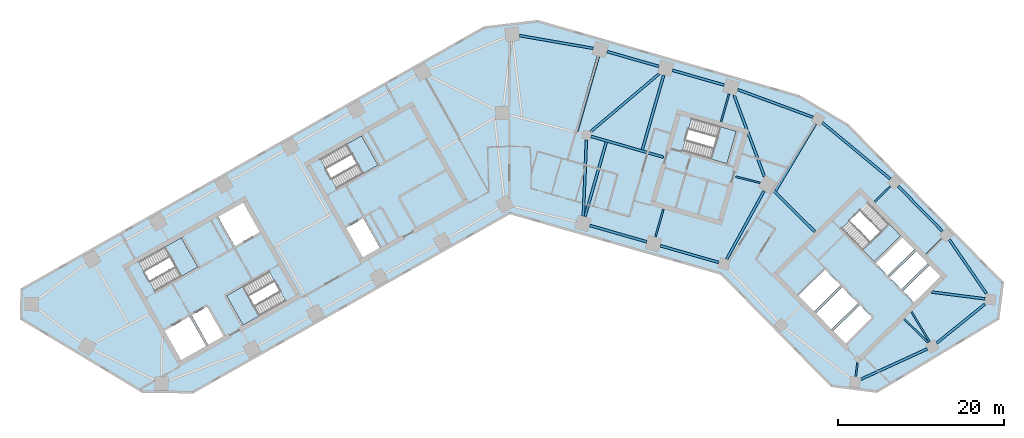
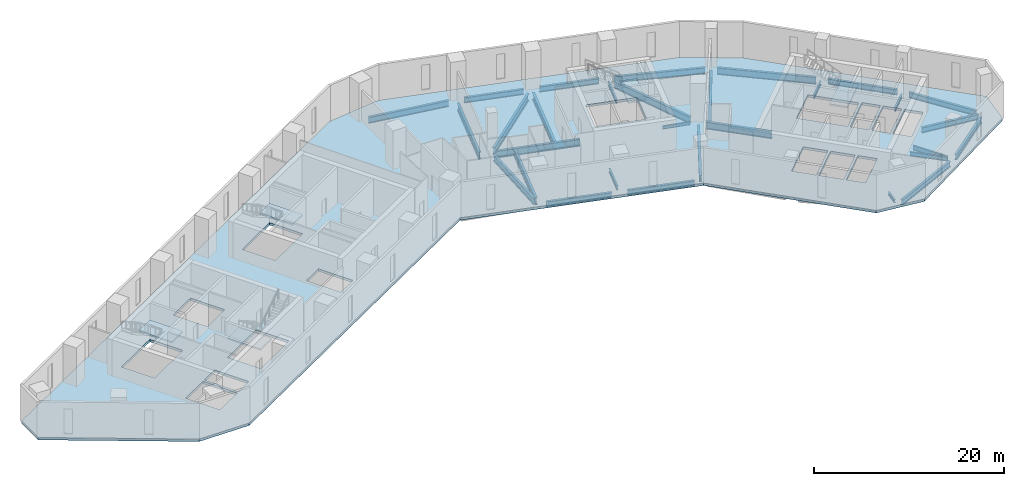
# One storey, part 2 of 10: 30 beams, 6 slabs, 5 elements without a shape of their own.
"""IFC4 building model written with IfcOpenShell, lengths in metres."""

from ifc_helpers import new_model, si_unit, direction, frame, origin, origin_2d, place, context, subcontext, project, spatial, polyline, i_section, outline, extrude, material, layer, layer_set, material_profile, profile_set, type_object, element, aggregate, save


model = new_model("IFC4")

# Units and contexts
model_context = context("Model", 3, precision=1e-05, world=origin(), true_north=direction((0.0, 1.0)))
body_context = subcontext(model_context, "Body", "Model", "MODEL_VIEW")
ifc_project = project(units=[si_unit("LENGTHUNIT", "METRE"), si_unit("AREAUNIT", "SQUARE_METRE"), si_unit("VOLUMEUNIT", "CUBIC_METRE"), si_unit("PLANEANGLEUNIT", "RADIAN"), si_unit("MASSUNIT", "GRAM", prefix="KILO")], contexts=[model_context])

# Site, building, storey
site_placement = place(None, origin())
site = spatial("IfcSite", under=ifc_project, at=site_placement, CompositionType="ELEMENT")
building_placement = place(site_placement, origin())
building = spatial("IfcBuilding", under=site, at=building_placement, Name="Binnacle Exchange Tower", CompositionType="ELEMENT")
storey_placement = place(building_placement, frame((0.0, 0.0, 41.5)))
storey = spatial("IfcBuildingStorey", under=building, at=storey_placement, Name="L08", CompositionType="ELEMENT", Elevation=41.5)

# Beams
ifc_material_1 = material(Name="Steel S355 (SHN355)", Category="steel")
ifc_material_profile_1 = material_profile(ifc_material_1, i_section(OverallWidth=0.300048828125, OverallDepth=0.699951171875, WebThickness=0.012939453125, FlangeThickness=0.02392578125, FilletRadius=0.028076171875, at=origin_2d()), Name="H 700x300x13x24")
ifc_profile_set_1 = profile_set([ifc_material_profile_1], Name="Steel S355 (SHN355)")
beam_type_1 = type_object("IfcBeamType", Name="Edge girder H 700x300x13x24 Steel S355 (SHN355)", PredefinedType="SPANDREL", material=ifc_profile_set_1)
beam_1_placement = place(storey_placement, frame((9.626708984375, 46.488037109375, -0.669921875), z_axis=(0.961260850036, -0.275640305812, 0.0), x_axis=(0.275640305812, 0.961260850036, 0.0)))
element("IfcBeam", 1, at=beam_1_placement, inside=storey, type_object=beam_type_1, Name="S:BM:edge:L08:030", PredefinedType="SPANDREL", context=body_context, shape_type="SweptSolid", body=[
    extrude(i_section(OverallWidth=0.300048828125, OverallDepth=0.699951171875, WebThickness=0.012939453125, FlangeThickness=0.02392578125, FilletRadius=0.028076171875, at=origin_2d()), origin(), (0.0, 0.0, 1.0), 7.120361328125),
])
beam_2_placement = place(storey_placement, frame((17.92919921875, 65.610595703125, -0.669921875), z_axis=(-0.961261624999, 0.275637603213, 0.0), x_axis=(-0.275637603213, -0.961261624999, 0.0)))
element("IfcBeam", 2, at=beam_2_placement, inside=storey, type_object=beam_type_1, Name="S:BM:edge:L08:032", PredefinedType="SPANDREL", context=body_context, shape_type="SweptSolid", body=[
    extrude(i_section(OverallWidth=0.300048828125, OverallDepth=0.699951171875, WebThickness=0.012939453125, FlangeThickness=0.02392578125, FilletRadius=0.028076171875, at=origin_2d()), origin(), (0.0, 0.0, 1.0), 6.472900390625),
])
beam_3_placement = place(storey_placement, frame((18.105224609375, 44.056884765625, -0.669921875), z_axis=(0.96126047873, -0.275641600691, 0.0), x_axis=(0.275641600691, 0.96126047873, 0.0)))
element("IfcBeam", 3, at=beam_3_placement, inside=storey, type_object=beam_type_1, Name="S:BM:edge:L08:033", PredefinedType="SPANDREL", context=body_context, shape_type="SweptSolid", body=[
    extrude(i_section(OverallWidth=0.300048828125, OverallDepth=0.699951171875, WebThickness=0.012939453125, FlangeThickness=0.02392578125, FilletRadius=0.028076171875, at=origin_2d()), origin(), (0.0, 0.0, 1.0), 7.320556640625),
])
beam_4_placement = place(storey_placement, frame((25.78564453125, 63.35791015625, -0.669921875), z_axis=(-0.961271618025, 0.275602751036, 0.0), x_axis=(-0.275602751036, -0.961271618025, 0.0)))
element("IfcBeam", 4, at=beam_4_placement, inside=storey, type_object=beam_type_1, Name="S:BM:edge:L08:034", PredefinedType="SPANDREL", context=body_context, shape_type="SweptSolid", body=[
    extrude(i_section(OverallWidth=0.300048828125, OverallDepth=0.699951171875, WebThickness=0.012939453125, FlangeThickness=0.02392578125, FilletRadius=0.028076171875, at=origin_2d()), origin(), (0.0, 0.0, 1.0), 6.472900390625),
])
beam_5_placement = place(storey_placement, frame((51.322265625, 32.343505859375, -0.669921875), z_axis=(0.777568489665, 0.628798253719, 0.0), x_axis=(-0.628798253719, 0.777568489665, 0.0)))
element("IfcBeam", 5, at=beam_5_placement, inside=storey, type_object=beam_type_1, Name="S:BM:edge:L08:040", PredefinedType="SPANDREL", context=body_context, shape_type="SweptSolid", body=[
    extrude(i_section(OverallWidth=0.300048828125, OverallDepth=0.699951171875, WebThickness=0.012939453125, FlangeThickness=0.02392578125, FilletRadius=0.028076171875, at=origin_2d()), origin(), (0.0, 0.0, 1.0), 7.428955078125),
])
beam_6_placement = place(storey_placement, frame((52.010986328125, 45.802978515625, -0.669921875), z_axis=(-0.700905226564, 0.713254417004, 0.0), x_axis=(-0.713254417004, -0.700905226564, 0.0)))
element("IfcBeam", 6, at=beam_6_placement, inside=storey, type_object=beam_type_1, Name="S:BM:edge:L08:041", PredefinedType="SPANDREL", context=body_context, shape_type="SweptSolid", body=[
    extrude(i_section(OverallWidth=0.300048828125, OverallDepth=0.699951171875, WebThickness=0.012939453125, FlangeThickness=0.02392578125, FilletRadius=0.028076171875, at=origin_2d()), origin(), (0.0, 0.0, 1.0), 7.57177734375),
])
beam_7_placement = place(storey_placement, frame((57.305419921875, 38.299072265625, -0.669921875), z_axis=(-0.566409202341, 0.82412415054, 0.0), x_axis=(-0.82412415054, -0.566409202341, 0.0)))
element("IfcBeam", 7, at=beam_7_placement, inside=storey, type_object=beam_type_1, Name="S:BM:edge:L08:042", PredefinedType="SPANDREL", context=body_context, shape_type="SweptSolid", body=[
    extrude(i_section(OverallWidth=0.300048828125, OverallDepth=0.699951171875, WebThickness=0.012939453125, FlangeThickness=0.02392578125, FilletRadius=0.028076171875, at=origin_2d()), origin(), (0.0, 0.0, 1.0), 7.8828125),
])
ifc_material_profile_2 = material_profile(ifc_material_1, i_section(OverallWidth=0.302001953125, OverallDepth=0.7080078125, WebThickness=0.014892578125, FlangeThickness=0.028076171875, FilletRadius=0.028076171875, at=origin_2d()), Name="H 708x302x15x28")
ifc_profile_set_2 = profile_set([ifc_material_profile_2], Name="Steel S355 (SHN355)")
beam_type_2 = type_object("IfcBeamType", Name="Edge girder H 708x302x15x28 Steel S355 (SHN355)", PredefinedType="SPANDREL", material=ifc_profile_set_2)
beam_8_placement = place(storey_placement, frame((42.215576171875, 27.99365234375, -0.674072265625), z_axis=(0.909179052108, 0.416405392866, 0.0), x_axis=(-0.416405392866, 0.909179052108, 0.0)))
element("IfcBeam", 8, at=beam_8_placement, inside=storey, type_object=beam_type_2, Name="S:BM:edge:L08:038", PredefinedType="SPANDREL", context=body_context, shape_type="SweptSolid", body=[
    extrude(i_section(OverallWidth=0.302001953125, OverallDepth=0.7080078125, WebThickness=0.014892578125, FlangeThickness=0.028076171875, FilletRadius=0.028076171875, at=origin_2d()), origin(), (0.0, 0.0, 1.0), 8.801025390625),
])
ifc_material_profile_3 = material_profile(ifc_material_1, i_section(OverallWidth=0.300048828125, OverallDepth=0.800048828125, WebThickness=0.013916015625, FlangeThickness=0.02587890625, FilletRadius=0.028076171875, at=origin_2d()), Name="H 800x300x14x26")
ifc_profile_set_3 = profile_set([ifc_material_profile_3], Name="Steel S355 (SHN355)")
beam_type_3 = type_object("IfcBeamType", Name="Edge girder H 800x300x14x26 Steel S355 (SHN355)", PredefinedType="SPANDREL", material=ifc_profile_set_3)
beam_9_placement = place(storey_placement, frame((10.047607421875, 67.77490234375, -0.719970703125), z_axis=(-0.985312460293, 0.17076110679, 0.0), x_axis=(-0.17076110679, -0.985312460293, 0.0)))
element("IfcBeam", 9, at=beam_9_placement, inside=storey, type_object=beam_type_3, Name="S:BM:edge:L08:031", PredefinedType="SPANDREL", context=body_context, shape_type="SweptSolid", body=[
    extrude(i_section(OverallWidth=0.300048828125, OverallDepth=0.800048828125, WebThickness=0.013916015625, FlangeThickness=0.02587890625, FilletRadius=0.028076171875, at=origin_2d()), origin(), (0.0, 0.0, 1.0), 9.005859375),
])
ifc_material_profile_4 = material_profile(ifc_material_1, i_section(OverallWidth=0.302001953125, OverallDepth=0.80810546875, WebThickness=0.01611328125, FlangeThickness=0.030029296875, FilletRadius=0.028076171875, at=origin_2d()), Name="H 808x302x16x30")
ifc_profile_set_4 = profile_set([ifc_material_profile_4], Name="Steel S355 (SHN355)")
beam_type_4 = type_object("IfcBeamType", Name="Edge girder H 808x302x16x30 Steel S355 (SHN355)", PredefinedType="SPANDREL", material=ifc_profile_set_4)
beam_10_placement = place(storey_placement, frame((36.464599609375, 59.490966796875, -0.72412109375), z_axis=(-0.938368148393, 0.345637408395, 0.0), x_axis=(-0.345637408395, -0.938368148393, 0.0)))
element("IfcBeam", 10, at=beam_10_placement, inside=storey, type_object=beam_type_4, Name="S:BM:edge:L08:037", PredefinedType="SPANDREL", context=body_context, shape_type="SweptSolid", body=[
    extrude(i_section(OverallWidth=0.302001953125, OverallDepth=0.80810546875, WebThickness=0.01611328125, FlangeThickness=0.030029296875, FilletRadius=0.028076171875, at=origin_2d()), origin(), (0.0, 0.0, 1.0), 9.6572265625),
])
ifc_material_profile_5 = material_profile(ifc_material_1, i_section(OverallWidth=0.300048828125, OverallDepth=0.89990234375, WebThickness=0.01611328125, FlangeThickness=0.028076171875, FilletRadius=0.028076171875, at=origin_2d()), Name="H 900x300x16x28")
ifc_profile_set_5 = profile_set([ifc_material_profile_5], Name="Steel S355 (SHN355)")
beam_type_5 = type_object("IfcBeamType", Name="Edge girder H 900x300x16x28 Steel S355 (SHN355)", PredefinedType="SPANDREL", material=ifc_profile_set_5)
beam_11_placement = place(storey_placement, frame((45.7451171875, 52.084228515625, -0.77001953125), z_axis=(-0.769906025895, 0.638157277864, 0.0), x_axis=(-0.638157277864, -0.769906025895, 0.0)))
element("IfcBeam", 11, at=beam_11_placement, inside=storey, type_object=beam_type_5, Name="S:BM:edge:L08:039", PredefinedType="SPANDREL", context=body_context, shape_type="SweptSolid", body=[
    extrude(i_section(OverallWidth=0.300048828125, OverallDepth=0.89990234375, WebThickness=0.01611328125, FlangeThickness=0.028076171875, FilletRadius=0.028076171875, at=origin_2d()), origin(), (0.0, 0.0, 1.0), 10.59033203125),
])
ifc_material_profile_6 = material_profile(ifc_material_1, i_section(OverallWidth=0.199951171875, OverallDepth=0.39990234375, WebThickness=0.008056640625, FlangeThickness=0.012939453125, FilletRadius=0.01611328125, at=origin_2d()), Name="H 400x200x8x13")
ifc_profile_set_6 = profile_set([ifc_material_profile_6], Name="Steel S355 (SHN355)")
beam_type_6 = type_object("IfcBeamType", Name="Floor beam H 400x200x8x13 Steel S355 (SHN355)", PredefinedType="BEAM", material=ifc_profile_set_6)
beam_12_placement = place(storey_placement, frame((41.601806640625, 28.319580078125, -0.52001953125), z_axis=(0.126197116971, 0.992005185303, 0.0), x_axis=(-0.992005185303, 0.126197116971, 0.0)))
element("IfcBeam", 12, at=beam_12_placement, inside=storey, type_object=beam_type_6, Name="S:BM:cross:L08:063", PredefinedType="BEAM", context=body_context, shape_type="SweptSolid", body=[
    extrude(i_section(OverallWidth=0.199951171875, OverallDepth=0.39990234375, WebThickness=0.008056640625, FlangeThickness=0.012939453125, FilletRadius=0.01611328125, at=origin_2d()), origin(), (0.0, 0.0, 1.0), 1.68115234375),
])
ifc_material_profile_7 = material_profile(ifc_material_1, i_section(OverallWidth=0.199951171875, OverallDepth=0.449951171875, WebThickness=0.009033203125, FlangeThickness=0.013916015625, FilletRadius=0.01806640625, at=origin_2d()), Name="H 450x200x9x14")
ifc_profile_set_7 = profile_set([ifc_material_profile_7], Name="Steel S355 (SHN355)")
beam_type_7 = type_object("IfcBeamType", Name="Floor beam H 450x200x9x14 Steel S355 (SHN355)", PredefinedType="BEAM", material=ifc_profile_set_7)
for number, where, z_axis, x_axis, name in (
    (13, (45.78466796875, 51.211669921875, -0.544921875), (-0.713299272232, -0.700859578113, 0.0), (0.700859578113, -0.713299272232, 0.0), "S:BM:cross:L08:064"),
    (14, (52.003173828125, 44.8837890625, -0.544921875), (-0.713254209224, -0.700905438004, 0.0), (0.700905438004, -0.713254209224, 0.0), "S:BM:cross:L08:066"),
):
    element("IfcBeam", number, at=place(storey_placement, frame(where, z_axis=z_axis, x_axis=x_axis)), inside=storey, type_object=beam_type_7, Name=name, PredefinedType="BEAM", context=body_context, shape_type="SweptSolid", body=[
        extrude(i_section(OverallWidth=0.199951171875, OverallDepth=0.449951171875, WebThickness=0.009033203125, FlangeThickness=0.013916015625, FilletRadius=0.01806640625, at=origin_2d()), origin(), (0.0, 0.0, 1.0), 2.70849609375),
    ])
ifc_material_profile_8 = material_profile(ifc_material_1, i_section(OverallWidth=0.200927734375, OverallDepth=0.506103515625, WebThickness=0.010986328125, FlangeThickness=0.01904296875, FilletRadius=0.02001953125, at=origin_2d()), Name="H 506x201x11x19")
ifc_profile_set_8 = profile_set([ifc_material_profile_8], Name="Steel S355 (SHN355)")
beam_type_8 = type_object("IfcBeamType", Name="Floor beam H 506x201x11x19 Steel S355 (SHN355)", PredefinedType="BEAM", material=ifc_profile_set_8)
for number, where, z_axis, x_axis, name in (
    (15, (17.5224609375, 45.108154296875, -0.572998046875), (0.275655468279, 0.961256502089, 0.0), (-0.961256502089, 0.275655468279, 0.0), "S:BM:cross:L08:058"),
    (16, (26.368408203125, 62.306396484375, -0.572998046875), (-0.275655468279, -0.961256502089, 0.0), (0.961256502089, -0.275655468279, 0.0), "S:BM:cross:L08:060"),
):
    element("IfcBeam", number, at=place(storey_placement, frame(where, z_axis=z_axis, x_axis=x_axis)), inside=storey, type_object=beam_type_8, Name=name, PredefinedType="BEAM", context=body_context, shape_type="SweptSolid", body=[
        extrude(i_section(OverallWidth=0.200927734375, OverallDepth=0.506103515625, WebThickness=0.010986328125, FlangeThickness=0.01904296875, FilletRadius=0.02001953125, at=origin_2d()), origin(), (0.0, 0.0, 1.0), 3.485107421875),
    ])
ifc_material_profile_9 = material_profile(ifc_material_1, i_section(OverallWidth=0.199951171875, OverallDepth=0.60009765625, WebThickness=0.010986328125, FlangeThickness=0.01708984375, FilletRadius=0.02197265625, at=origin_2d()), Name="H 600x200x11x17")
ifc_profile_set_9 = profile_set([ifc_material_profile_9], Name="Steel S355 (SHN355)")
beam_type_9 = type_object("IfcBeamType", Name="Floor beam H 600x200x11x17 Steel S355 (SHN355)", PredefinedType="BEAM", material=ifc_profile_set_9)
beam_13_placement = place(storey_placement, frame((50.477294921875, 32.488037109375, -0.6201171875), z_axis=(-0.515057466438, 0.857155648798, 0.0), x_axis=(-0.857155648798, -0.515057466438, 0.0)))
element("IfcBeam", 17, at=beam_13_placement, inside=storey, type_object=beam_type_9, Name="S:BM:cross:L08:065", PredefinedType="BEAM", context=body_context, shape_type="SweptSolid", body=[
    extrude(i_section(OverallWidth=0.199951171875, OverallDepth=0.60009765625, WebThickness=0.010986328125, FlangeThickness=0.01708984375, FilletRadius=0.02197265625, at=origin_2d()), origin(), (0.0, 0.0, 1.0), 4.2177734375),
])
ifc_material_profile_10 = material_profile(ifc_material_1, i_section(OverallWidth=0.300048828125, OverallDepth=0.699951171875, WebThickness=0.012939453125, FlangeThickness=0.02392578125, FilletRadius=0.028076171875, at=origin_2d()), Name="H 700x300x13x24")
ifc_profile_set_10 = profile_set([ifc_material_profile_10], Name="Steel S355 (SHN355)")
beam_type_10 = type_object("IfcBeamType", Name="Floor beam H 700x300x13x24 Steel S355 (SHN355)", PredefinedType="BEAM", material=ifc_profile_set_10)
beam_14_placement = place(storey_placement, frame((57.154296875, 37.6630859375, -0.669921875), z_axis=(-0.992006658356, 0.126185537116, 0.0), x_axis=(-0.126185537116, -0.992006658356, 0.0)))
element("IfcBeam", 18, at=beam_14_placement, inside=storey, type_object=beam_type_10, Name="S:BM:cross:L08:067", PredefinedType="BEAM", context=body_context, shape_type="SweptSolid", body=[
    extrude(i_section(OverallWidth=0.300048828125, OverallDepth=0.699951171875, WebThickness=0.012939453125, FlangeThickness=0.02392578125, FilletRadius=0.028076171875, at=origin_2d()), origin(), (0.0, 0.0, 1.0), 6.4814453125),
])
ifc_material_profile_11 = material_profile(ifc_material_1, i_section(OverallWidth=0.302978515625, OverallDepth=0.91796875, WebThickness=0.01904296875, FlangeThickness=0.037109375, FilletRadius=0.028076171875, at=origin_2d()), Name="H 918x303x19x37")
ifc_profile_set_11 = profile_set([ifc_material_profile_11], Name="Steel S355 (SHN355)")
beam_type_11 = type_object("IfcBeamType", Name="Floor beam H 918x303x19x37 Steel S355 (SHN355)", PredefinedType="BEAM", material=ifc_profile_set_11)
beam_15_placement = place(storey_placement, frame((9.043701171875, 47.539306640625, -0.779052734375), z_axis=(0.275646698205, 0.961259017003, 0.0), x_axis=(-0.961259017003, 0.275646698205, 0.0)))
element("IfcBeam", 19, at=beam_15_placement, inside=storey, type_object=beam_type_11, Name="S:BM:cross:L08:056", PredefinedType="BEAM", context=body_context, shape_type="SweptSolid", body=[
    extrude(i_section(OverallWidth=0.302978515625, OverallDepth=0.91796875, WebThickness=0.01904296875, FlangeThickness=0.037109375, FilletRadius=0.028076171875, at=origin_2d()), origin(), (0.0, 0.0, 1.0), 9.335205078125),
])
beam_16_placement = place(storey_placement, frame((10.65576171875, 66.81201171875, -0.779052734375), z_axis=(-0.275626703457, -0.961264750389, 0.0), x_axis=(0.961264750389, -0.275626703457, 0.0)))
element("IfcBeam", 20, at=beam_16_placement, inside=storey, type_object=beam_type_11, Name="S:BM:cross:L08:057", PredefinedType="BEAM", context=body_context, shape_type="SweptSolid", body=[
    extrude(i_section(OverallWidth=0.302978515625, OverallDepth=0.91796875, WebThickness=0.01904296875, FlangeThickness=0.037109375, FilletRadius=0.028076171875, at=origin_2d()), origin(), (0.0, 0.0, 1.0), 9.363525390625),
])
beam_17_placement = place(storey_placement, frame((18.511962890625, 64.55908203125, -0.779052734375), z_axis=(-0.275629461812, -0.961263959473, 0.0), x_axis=(0.961263959473, -0.275629461812, 0.0)))
element("IfcBeam", 21, at=beam_17_placement, inside=storey, type_object=beam_type_11, Name="S:BM:cross:L08:059", PredefinedType="BEAM", context=body_context, shape_type="SweptSolid", body=[
    extrude(i_section(OverallWidth=0.302978515625, OverallDepth=0.91796875, WebThickness=0.01904296875, FlangeThickness=0.037109375, FilletRadius=0.028076171875, at=origin_2d()), origin(), (0.0, 0.0, 1.0), 9.3349609375),
])
beam_18_placement = place(storey_placement, frame((36.752685546875, 58.703857421875, -0.779052734375), z_axis=(-0.511298188751, -0.859403375709, 0.0), x_axis=(0.859403375709, -0.511298188751, 0.0)))
element("IfcBeam", 22, at=beam_18_placement, inside=storey, type_object=beam_type_11, Name="S:BM:cross:L08:062", PredefinedType="BEAM", context=body_context, shape_type="SweptSolid", body=[
    extrude(i_section(OverallWidth=0.302978515625, OverallDepth=0.91796875, WebThickness=0.01904296875, FlangeThickness=0.037109375, FilletRadius=0.028076171875, at=origin_2d()), origin(), (0.0, 0.0, 1.0), 9.385986328125),
])
ifc_material_profile_12 = material_profile(ifc_material_1, i_section(OverallWidth=0.199951171875, OverallDepth=0.39990234375, WebThickness=0.008056640625, FlangeThickness=0.012939453125, FilletRadius=0.01611328125, at=origin_2d()), Name="H 400x200x8x13")
ifc_profile_set_12 = profile_set([ifc_material_profile_12], Name="Steel S355 (SHN355)")
beam_type_12 = type_object("IfcBeamType", Name="Spine girder H 400x200x8x13 Steel S355 (SHN355)", PredefinedType="BEAM", material=ifc_profile_set_12)
beam_19_placement = place(storey_placement, frame((27.17138671875, 52.35400390625, -0.52001953125), z_axis=(0.969359627701, -0.245645908136, 0.0), x_axis=(0.245645908136, 0.969359627701, 0.0)))
element("IfcBeam", 23, at=beam_19_placement, inside=storey, type_object=beam_type_12, Name="S:BM:spine:L08:010", PredefinedType="BEAM", context=body_context, shape_type="SweptSolid", body=[
    extrude(i_section(OverallWidth=0.199951171875, OverallDepth=0.39990234375, WebThickness=0.008056640625, FlangeThickness=0.012939453125, FilletRadius=0.01611328125, at=origin_2d()), origin(), (0.0, 0.0, 1.0), 3.046142578125),
])
ifc_material_profile_13 = material_profile(ifc_material_1, i_section(OverallWidth=0.200927734375, OverallDepth=0.506103515625, WebThickness=0.010986328125, FlangeThickness=0.01904296875, FilletRadius=0.02001953125, at=origin_2d()), Name="H 506x201x11x19")
ifc_profile_set_13 = profile_set([ifc_material_profile_13], Name="Steel S355 (SHN355)")
beam_type_13 = type_object("IfcBeamType", Name="Spine girder H 506x201x11x19 Steel S355 (SHN355)", PredefinedType="BEAM", material=ifc_profile_set_13)
beam_20_placement = place(storey_placement, frame((47.417236328125, 35.23095703125, -0.572998046875), z_axis=(0.717013275689, -0.697059511437, 0.0), x_axis=(0.697059511437, 0.717013275689, 0.0)))
element("IfcBeam", 24, at=beam_20_placement, inside=storey, type_object=beam_type_13, Name="S:BM:spine:L08:014", PredefinedType="BEAM", context=body_context, shape_type="SweptSolid", body=[
    extrude(i_section(OverallWidth=0.200927734375, OverallDepth=0.506103515625, WebThickness=0.010986328125, FlangeThickness=0.01904296875, FilletRadius=0.02001953125, at=origin_2d()), origin(), (0.0, 0.0, 1.0), 4.06201171875),
])
ifc_material_profile_14 = material_profile(ifc_material_1, i_section(OverallWidth=0.302001953125, OverallDepth=0.80810546875, WebThickness=0.01611328125, FlangeThickness=0.030029296875, FilletRadius=0.028076171875, at=origin_2d()), Name="H 808x302x16x30")
ifc_profile_set_14 = profile_set([ifc_material_profile_14], Name="Steel S355 (SHN355)")
beam_type_14 = type_object("IfcBeamType", Name="Spine girder H 808x302x16x30 Steel S355 (SHN355)", PredefinedType="BEAM", material=ifc_profile_set_14)
beam_21_placement = place(storey_placement, frame((9.218017578125, 56.78466796875, -0.72412109375), z_axis=(-0.040567083206, -0.999176817065, 0.0), x_axis=(0.999176817065, -0.040567083206, 0.0)))
element("IfcBeam", 25, at=beam_21_placement, inside=storey, type_object=beam_type_14, Name="S:BM:spine:L08:007", PredefinedType="BEAM", context=body_context, shape_type="SweptSolid", body=[
    extrude(i_section(OverallWidth=0.302001953125, OverallDepth=0.80810546875, WebThickness=0.01611328125, FlangeThickness=0.030029296875, FilletRadius=0.028076171875, at=origin_2d()), origin(), (0.0, 0.0, 1.0), 9.19580078125),
])
beam_22_placement = place(storey_placement, frame((30.580078125, 50.6396484375, -0.72412109375), z_axis=(-0.480716000085, -0.87687634662, 0.0), x_axis=(0.87687634662, -0.480716000085, 0.0)))
element("IfcBeam", 26, at=beam_22_placement, inside=storey, type_object=beam_type_14, Name="S:BM:spine:L08:011", PredefinedType="BEAM", context=body_context, shape_type="SweptSolid", body=[
    extrude(i_section(OverallWidth=0.302001953125, OverallDepth=0.80810546875, WebThickness=0.01611328125, FlangeThickness=0.030029296875, FilletRadius=0.028076171875, at=origin_2d()), origin(), (0.0, 0.0, 1.0), 9.34619140625),
])
ifc_material_profile_15 = material_profile(ifc_material_1, i_section(OverallWidth=0.302001953125, OverallDepth=0.912109375, WebThickness=0.01806640625, FlangeThickness=0.033935546875, FilletRadius=0.028076171875, at=origin_2d()), Name="H 912x302x18x34")
ifc_profile_set_15 = profile_set([ifc_material_profile_15], Name="Steel S355 (SHN355)")
beam_type_15 = type_object("IfcBeamType", Name="Spine girder H 912x302x18x34 Steel S355 (SHN355)", PredefinedType="BEAM", material=ifc_profile_set_15)
beam_23_placement = place(storey_placement, frame((9.74658203125, 57.77734375, -0.77587890625), z_axis=(0.764072930463, 0.64512987602, 0.0), x_axis=(-0.64512987602, 0.764072930463, 0.0)))
element("IfcBeam", 27, at=beam_23_placement, inside=storey, type_object=beam_type_15, Name="S:BM:spine:L08:008", PredefinedType="BEAM", context=body_context, shape_type="SweptSolid", body=[
    extrude(i_section(OverallWidth=0.302001953125, OverallDepth=0.912109375, WebThickness=0.01806640625, FlangeThickness=0.033935546875, FilletRadius=0.028076171875, at=origin_2d()), origin(), (0.0, 0.0, 1.0), 10.755615234375),
])
beam_24_placement = place(storey_placement, frame((30.614501953125, 52.389892578125, -0.77587890625), z_axis=(-0.350104624168, 0.936710602126, 0.0), x_axis=(-0.936710602126, -0.350104624168, 0.0)))
element("IfcBeam", 28, at=beam_24_placement, inside=storey, type_object=beam_type_15, Name="S:BM:spine:L08:012", PredefinedType="BEAM", context=body_context, shape_type="SweptSolid", body=[
    extrude(i_section(OverallWidth=0.302001953125, OverallDepth=0.912109375, WebThickness=0.01806640625, FlangeThickness=0.033935546875, FilletRadius=0.028076171875, at=origin_2d()), origin(), (0.0, 0.0, 1.0), 10.4013671875),
])
ifc_material_profile_16 = material_profile(ifc_material_1, i_section(OverallWidth=0.302978515625, OverallDepth=0.91796875, WebThickness=0.01904296875, FlangeThickness=0.037109375, FilletRadius=0.028076171875, at=origin_2d()), Name="H 918x303x19x37")
ifc_profile_set_16 = profile_set([ifc_material_profile_16], Name="Steel S355 (SHN355)")
beam_type_16 = type_object("IfcBeamType", Name="Spine girder H 918x303x19x37 Steel S355 (SHN355)", PredefinedType="BEAM", material=ifc_profile_set_16)
beam_25_placement = place(storey_placement, frame((9.76953125, 57.198486328125, -0.779052734375), z_axis=(0.961265329417, -0.275624684057, 0.0), x_axis=(0.275624684057, 0.961265329417, 0.0)))
element("IfcBeam", 29, at=beam_25_placement, inside=storey, type_object=beam_type_16, Name="S:BM:spine:L08:009", PredefinedType="BEAM", context=body_context, shape_type="SweptSolid", body=[
    extrude(i_section(OverallWidth=0.302978515625, OverallDepth=0.91796875, WebThickness=0.01904296875, FlangeThickness=0.037109375, FilletRadius=0.028076171875, at=origin_2d()), origin(), (0.0, 0.0, 1.0), 9.063232421875),
])
beam_26_placement = place(storey_placement, frame((31.60888671875, 50.773681640625, -0.779052734375), z_axis=(0.711013452478, -0.703178405809, 0.0), x_axis=(0.703178405809, 0.711013452478, 0.0)))
element("IfcBeam", 30, at=beam_26_placement, inside=storey, type_object=beam_type_16, Name="S:BM:spine:L08:013", PredefinedType="BEAM", context=body_context, shape_type="SweptSolid", body=[
    extrude(i_section(OverallWidth=0.302978515625, OverallDepth=0.91796875, WebThickness=0.01904296875, FlangeThickness=0.037109375, FilletRadius=0.028076171875, at=origin_2d()), origin(), (0.0, 0.0, 1.0), 7.166748046875),
])

# Slab
ifc_material_2 = material(Name="Concrete C35/45", Category="concrete")
ifc_layer_1 = layer(ifc_material_2, 0.320068359375)
ifc_layer_set_1 = layer_set([ifc_layer_1], Name="Floor slab 320 Concrete C35/45")
slab_type_1 = type_object("IfcSlabType", Name="Floor slab 320 Concrete C35/45", PredefinedType="FLOOR", material=ifc_layer_set_1)
slab_1_placement = place(storey_placement, frame((0.0, 0.0, -0.320068359375)))
element("IfcSlab", 31, at=slab_1_placement, inside=storey, type_object=slab_type_1, Name="S:SL:L08:01", PredefinedType="FLOOR", context=body_context, shape_type="SweptSolid", body=[
    extrude(outline(polyline([(59.262939453125, 39.5791015625), (58.716064453125, 35.280029296875), (44.14404296875, 26.5244140625), (38.69091796875, 27.21826171875), (25.43603515625, 40.706298828125), (0.0, 48.0), (-38.097900390625, 26.4453125), (-44.14404296875, 26.5244140625), (-58.716064453125, 35.280029296875), (-58.669921875, 38.80615234375), (-3.046142578125, 70.276611328125), (3.364501953125, 71.035400390625), (34.789794921875, 62.024169921875), (40.607421875, 58.56298828125), (59.262939453125, 39.5791015625)]), holes=[polyline([(-38.4794921875, 35.529296875), (-41.61279296875, 33.756591796875), (-39.544677734375, 30.10107421875), (-36.411376953125, 31.873779296875), (-38.4794921875, 35.529296875)]), polyline([(-34.322509765625, 33.0556640625), (-36.390625, 36.711181640625), (-38.21826171875, 35.677001953125), (-36.150146484375, 32.021484375), (-34.322509765625, 33.0556640625)]), polyline([(-34.040771484375, 38.04052734375), (-32.04638671875, 34.515625), (-26.9287109375, 37.4111328125), (-28.923095703125, 40.93603515625), (-34.040771484375, 38.04052734375)]), polyline([(-37.486572265625, 41.4912109375), (-39.480712890625, 45.01611328125), (-44.598388671875, 42.12060546875), (-42.604248046875, 38.595703125), (-37.486572265625, 41.4912109375)]), polyline([(-15.53076171875, 43.6875), (-17.598876953125, 47.343017578125), (-19.77490234375, 46.11181640625), (-17.70654296875, 42.456298828125), (-15.53076171875, 43.6875)]), polyline([(-29.914306640625, 45.775390625), (-31.982666015625, 49.430908203125), (-35.115966796875, 47.657958984375), (-33.047607421875, 44.00244140625), (-29.914306640625, 45.775390625)]), polyline([(-15.822509765625, 53.748046875), (-17.81689453125, 57.27294921875), (-22.760498046875, 54.47607421875), (-20.76611328125, 50.950927734375), (-15.822509765625, 53.748046875)]), polyline([(26.111328125, 53.9169921875), (27.227783203125, 57.810302734375), (21.864013671875, 59.348388671875), (20.74755859375, 55.455078125), (26.111328125, 53.9169921875)]), polyline([(40.268798828125, 32.201904296875), (43.549560546875, 35.426025390625), (42.07763671875, 36.923828125), (38.796875, 33.69970703125), (40.268798828125, 32.201904296875)]), polyline([(38.58642578125, 33.913818359375), (41.867431640625, 37.137939453125), (39.97509765625, 39.063720703125), (36.694091796875, 35.83935546875), (38.58642578125, 33.913818359375)]), polyline([(36.48388671875, 36.053466796875), (39.7646484375, 39.277587890625), (37.872314453125, 41.203369140625), (34.59130859375, 37.979248046875), (36.48388671875, 36.053466796875)]), polyline([(48.726806640625, 37.148681640625), (52.0078125, 40.372802734375), (50.577880859375, 41.827880859375), (47.296875, 38.603759765625), (48.726806640625, 37.148681640625)]), polyline([(47.086669921875, 38.817626953125), (50.36767578125, 42.0419921875), (48.944580078125, 43.48974609375), (45.663818359375, 40.265625), (47.086669921875, 38.817626953125)]), polyline([(45.45361328125, 40.4794921875), (48.734375, 43.703857421875), (47.3115234375, 45.151611328125), (44.030517578125, 41.927490234375), (45.45361328125, 40.4794921875)]), polyline([(43.8203125, 42.141357421875), (46.994384765625, 45.260498046875), (43.083251953125, 49.240478515625), (39.9091796875, 46.121337890625), (43.8203125, 42.141357421875)])]), origin(), (0.0, 0.0, 1.0), 0.320068359375),
])

# Stair, slab
stair_type = type_object("IfcStairType", Name="STAIR 28 RISERS 179", PredefinedType="HALF_TURN_STAIR", material=ifc_material_2)
stair_1_placement = place(storey_placement, origin())
stair_1 = element("IfcStair", 32, at=stair_1_placement, inside=storey, type_object=stair_type, Name="L08 Escape stair A1", PredefinedType="HALF_TURN_STAIR")
ifc_layer_2 = layer(ifc_material_2, 0.199951171875)
ifc_layer_set_2 = layer_set([ifc_layer_2], Name="STAIR LANDING 200")
slab_type_2 = type_object("IfcSlabType", Name="STAIR LANDING 200", PredefinedType="LANDING", material=ifc_layer_set_2)
slab_2_placement = place(storey_placement, frame((0.0, 0.0, 2.300048828125)))
slab_2 = element("IfcSlab", 33, at=slab_2_placement, type_object=slab_type_2, Name="STA1 landing 1", PredefinedType="LANDING", context=body_context, shape_type="SweptSolid", body=[
    extrude(outline(polyline([(-39.470947265625, 40.368408203125), (-37.486572265625, 41.4912109375), (-39.48095703125, 45.01611328125), (-41.46533203125, 43.893310546875), (-39.470947265625, 40.368408203125)])), origin(), (0.0, 0.0, 1.0), 0.199951171875),
])
aggregate(stair_1, [slab_2])

stair_2_placement = place(storey_placement, origin())
stair_2 = element("IfcStair", 34, at=stair_2_placement, inside=storey, type_object=stair_type, Name="L08 Escape stair A2", PredefinedType="HALF_TURN_STAIR")
slab_3_placement = place(storey_placement, frame((0.0, 0.0, 2.300048828125)))
slab_3 = element("IfcSlab", 35, at=slab_3_placement, type_object=slab_type_2, Name="STA2 landing 1", PredefinedType="LANDING", context=body_context, shape_type="SweptSolid", body=[
    extrude(outline(polyline([(-32.05615234375, 39.163330078125), (-34.040771484375, 38.04052734375), (-32.04638671875, 34.515625), (-30.06201171875, 35.638427734375), (-32.05615234375, 39.163330078125)])), origin(), (0.0, 0.0, 1.0), 0.199951171875),
])
aggregate(stair_2, [slab_3])

stair_3_placement = place(storey_placement, origin())
stair_3 = element("IfcStair", 36, at=stair_3_placement, inside=storey, type_object=stair_type, Name="L08 Escape stair B1", PredefinedType="HALF_TURN_STAIR")
slab_4_placement = place(storey_placement, frame((0.0, 0.0, 2.300048828125)))
slab_4 = element("IfcSlab", 37, at=slab_4_placement, type_object=slab_type_2, Name="STB1 landing 1", PredefinedType="LANDING", context=body_context, shape_type="SweptSolid", body=[
    extrude(outline(polyline([(42.4326171875, 43.5537109375), (43.8203125, 42.141357421875), (46.994384765625, 45.260498046875), (45.606689453125, 46.672607421875), (42.4326171875, 43.5537109375)])), origin(), (0.0, 0.0, 1.0), 0.199951171875),
])
aggregate(stair_3, [slab_4])

stair_4_placement = place(storey_placement, origin())
stair_4 = element("IfcStair", 38, at=stair_4_placement, inside=storey, type_object=stair_type, Name="L08 Escape stair C1", PredefinedType="HALF_TURN_STAIR")
slab_5_placement = place(storey_placement, frame((0.0, 0.0, 2.300048828125)))
slab_5 = element("IfcSlab", 39, at=slab_5_placement, type_object=slab_type_2, Name="STC1 landing 1", PredefinedType="LANDING", context=body_context, shape_type="SweptSolid", body=[
    extrude(outline(polyline([(-17.6328125, 52.7236328125), (-15.822509765625, 53.748046875), (-17.81689453125, 57.27294921875), (-19.627197265625, 56.248779296875), (-17.6328125, 52.7236328125)])), origin(), (0.0, 0.0, 1.0), 0.199951171875),
])
aggregate(stair_4, [slab_5])

stair_5_placement = place(storey_placement, origin())
stair_5 = element("IfcStair", 40, at=stair_5_placement, inside=storey, type_object=stair_type, Name="L08 Escape stair D1", PredefinedType="HALF_TURN_STAIR")
slab_6_placement = place(storey_placement, frame((0.0, 0.0, 2.300048828125)))
slab_6 = element("IfcSlab", 41, at=slab_6_placement, type_object=slab_type_2, Name="STD1 landing 1", PredefinedType="LANDING", context=body_context, shape_type="SweptSolid", body=[
    extrude(outline(polyline([(24.2080078125, 54.462890625), (26.111328125, 53.917236328125), (27.227783203125, 57.810302734375), (25.324462890625, 58.35595703125), (24.2080078125, 54.462890625)])), origin(), (0.0, 0.0, 1.0), 0.199951171875),
])
aggregate(stair_5, [slab_6])

save(model, "model.ifc")
